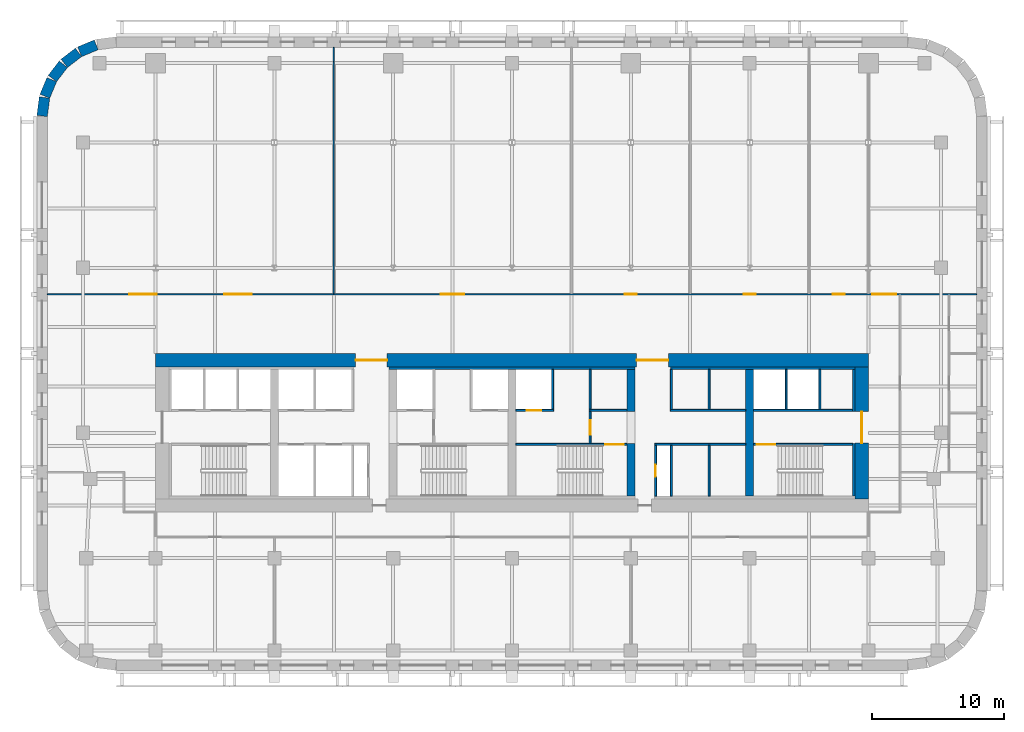
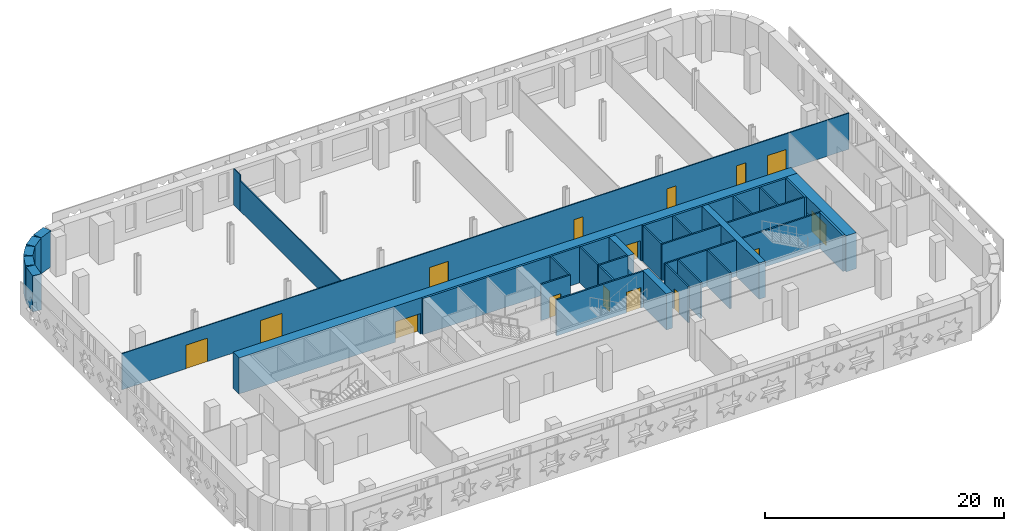
# One storey, part 5 of 10: 34 walls, 15 doors, 15 openings.
"""IFC4 building model written with IfcOpenShell, lengths in metres."""

from ifc_helpers import new_model, si_unit, direction, frame, frame_2d, origin, place, context, subcontext, project, spatial, rectangle, extrude, material, layer, layer_set, type_object, element, fill, save


model = new_model("IFC4")

# Units and contexts
model_context = context("Model", 3, precision=1e-05, world=origin(), true_north=direction((0.0, 1.0)))
body_context = subcontext(model_context, "Body", "Model", "MODEL_VIEW")
ifc_project = project(units=[si_unit("LENGTHUNIT", "METRE"), si_unit("AREAUNIT", "SQUARE_METRE"), si_unit("VOLUMEUNIT", "CUBIC_METRE"), si_unit("PLANEANGLEUNIT", "RADIAN"), si_unit("MASSUNIT", "GRAM", prefix="KILO")], contexts=[model_context])

# Site, building, storey
site_placement = place(None, origin())
site = spatial("IfcSite", under=ifc_project, at=site_placement, CompositionType="ELEMENT")
building_placement = place(site_placement, origin())
building = spatial("IfcBuilding", under=site, at=building_placement, Name="Zellij Exchange Tower", CompositionType="ELEMENT")
storey_placement = place(building_placement, frame((0.0, 0.0, 152.5)))
storey = spatial("IfcBuildingStorey", under=building, at=storey_placement, Name="L34", CompositionType="ELEMENT", Elevation=152.5)

# Walls
ifc_material_1 = material(Name="Concrete C70/85", Category="concrete")
ifc_layer_1 = layer(ifc_material_1, 0.60009765625)
ifc_layer_set_1 = layer_set([ifc_layer_1], Name="Concrete C70/85")
wall_type_1 = type_object("IfcWallType", Name="CORE-CW 600 C70/85", PredefinedType="SHEAR", material=ifc_layer_set_1)
wall_1_placement = place(storey_placement, frame((9.0, -12.800048828125, 0.0), z_axis=(0.0, 0.0, 1.0), x_axis=(0.0, 1.0, 0.0)))
element("IfcWall", 1, at=wall_1_placement, inside=storey, type_object=wall_type_1, Name="Core cross wall pier x 9 a L34", PredefinedType="SHEAR", context=body_context, shape_type="SweptSolid", body=[
    extrude(rectangle(XDim=4.0, YDim=0.60009765625, at=frame_2d((2.0, 0.0))), origin(), (0.0, 0.0, 1.0), 3.699951171875),
])
wall_2_placement = place(storey_placement, frame((9.0, -6.375, 0.0), z_axis=(0.0, 0.0, 1.0), x_axis=(0.0, 1.0, 0.0)))
element("IfcWall", 2, at=wall_2_placement, inside=storey, type_object=wall_type_1, Name="Core cross wall pier x 9 b L34", PredefinedType="SHEAR", context=body_context, shape_type="SweptSolid", body=[
    extrude(rectangle(XDim=3.175048828125, YDim=0.60009765625, at=frame_2d((1.58740234375, 0.0))), origin(), (0.0, 0.0, 1.0), 3.699951171875),
])
wall_3_placement = place(storey_placement, frame((18.0, -12.800048828125, 0.0), z_axis=(0.0, 0.0, 1.0), x_axis=(0.0, 1.0, 0.0)))
element("IfcWall", 3, at=wall_3_placement, inside=storey, type_object=wall_type_1, Name="Core cross wall x 18 L34", PredefinedType="SHEAR", context=body_context, shape_type="SweptSolid", body=[
    extrude(rectangle(XDim=9.60009765625, YDim=0.60009765625, at=frame_2d((4.800048828125, 0.0))), origin(), (0.0, 0.0, 1.0), 3.699951171875),
])
ifc_material_2 = material(Name="Concrete C30/37", Category="concrete")
ifc_layer_2 = layer(ifc_material_2, 0.199951171875)
ifc_layer_set_2 = layer_set([ifc_layer_2], Name="Concrete C30/37")
wall_type_2 = type_object("IfcWallType", Name="CORE-LW 200 C30/37", PredefinedType="SHEAR", material=ifc_layer_set_2)
wall_4_placement = place(storey_placement, frame((-9.300048828125, -3.10009765625, 0.0), z_axis=(0.0, 0.0, 1.0), x_axis=(1.0, 0.0, 0.0)))
element("IfcWall", 4, at=wall_4_placement, inside=storey, type_object=wall_type_2, Name="Core wall lining front.1 L34", PredefinedType="SHEAR", context=body_context, shape_type="SweptSolid", body=[
    extrude(rectangle(XDim=18.60009765625, YDim=0.199951171875, at=frame_2d((9.300048828125, 0.0))), origin(), (0.0, 0.0, 1.0), 3.699951171875),
])
wall_5_placement = place(storey_placement, frame((12.0, -3.10009765625, 0.0), z_axis=(0.0, 0.0, 1.0), x_axis=(1.0, 0.0, 0.0)))
element("IfcWall", 5, at=wall_5_placement, inside=storey, type_object=wall_type_2, Name="Core wall lining front.2 L34", PredefinedType="SHEAR", context=body_context, shape_type="SweptSolid", body=[
    extrude(rectangle(XDim=14.0, YDim=0.199951171875, at=frame_2d((7.0, 0.0))), origin(), (0.0, 0.0, 1.0), 3.699951171875),
])
wall_6_placement = place(storey_placement, frame((25.89990234375, -12.800048828125, 0.0), z_axis=(0.0, 0.0, 1.0), x_axis=(0.0, 1.0, 0.0)))
element("IfcWall", 6, at=wall_6_placement, inside=storey, type_object=wall_type_2, Name="Core wall lining end e.0 L34", PredefinedType="SHEAR", context=body_context, shape_type="SweptSolid", body=[
    extrude(rectangle(XDim=4.0, YDim=0.199951171875, at=frame_2d((2.0, 0.0))), origin(), (0.0, 0.0, 1.0), 3.699951171875),
])
wall_7_placement = place(storey_placement, frame((25.89990234375, -6.375, 0.0), z_axis=(0.0, 0.0, 1.0), x_axis=(0.0, 1.0, 0.0)))
element("IfcWall", 7, at=wall_7_placement, inside=storey, type_object=wall_type_2, Name="Core wall lining end e.1 L34", PredefinedType="SHEAR", context=body_context, shape_type="SweptSolid", body=[
    extrude(rectangle(XDim=3.175048828125, YDim=0.199951171875, at=frame_2d((1.58740234375, 0.0))), origin(), (0.0, 0.0, 1.0), 3.699951171875),
])

# Wall, opening, door
ifc_material_3 = material(Name="Gypsum shaft wall system")
ifc_layer_3 = layer(ifc_material_3, 0.14990234375)
ifc_layer_set_3 = layer_set([ifc_layer_3], Name="Gypsum shaft wall system")
wall_type_3 = type_object("IfcWallType", Name="CORE-PW 150 Firefighting lobby wall", PredefinedType="PARTITIONING", material=ifc_layer_set_3)
wall_8_placement = place(storey_placement, frame((5.925048828125, -8.800048828125, 0.0), z_axis=(0.0, 0.0, 1.0), x_axis=(0.0, 1.0, 0.0)))
wall_8 = element("IfcWall", 8, at=wall_8_placement, inside=storey, type_object=wall_type_3, Name="Firefighting lobby wall L34", PredefinedType="PARTITIONING", context=body_context, shape_type="SweptSolid", body=[
    extrude(rectangle(XDim=2.425048828125, YDim=0.14990234375, at=frame_2d((1.21240234375, 0.0))), origin(), (0.0, 0.0, 1.0), 3.699951171875),
])
opening_1_placement = place(wall_8_placement, frame((0.662109375, 0.0, 0.0)))
opening_1 = element("IfcOpeningElement", 9, at=opening_1_placement, cuts=wall_8, Name="Opening CA-18.18", PredefinedType="OPENING", context=body_context, shape_type="SweptSolid", body=[
    extrude(rectangle(XDim=1.10009765625, YDim=2.10009765625, at=frame_2d((0.550048828125, 1.050048828125))), frame((0.0, 0.0869140625, 0.0), z_axis=(0.0, -1.0, 0.0), x_axis=(1.0, 0.0, 0.0)), (0.0, 0.0, 1.0), 0.173828125),
])
ifc_material_4 = material(Name="Hollow metal fire door")
door_type_1 = type_object("IfcDoorType", Name="CORE-D F Firefighting lobby door 1100x2100 1 HR", OperationType="NOTDEFINED", PredefinedType="DOOR", material=ifc_material_4)
door_1_placement = place(opening_1_placement, origin())
door_1 = element("IfcDoor", 10, at=door_1_placement, inside=storey, type_object=door_type_1, Name="Firefighting lobby door CA-18.18", OperationType="SINGLE_SWING_RIGHT", OverallHeight=2.10009765625, OverallWidth=1.10009765625, PredefinedType="DOOR", context=body_context, shape_type="SweptSolid", body=[
    extrude(rectangle(XDim=1.10009765625, YDim=2.10009765625, at=frame_2d((0.550048828125, 1.050048828125))), frame((0.0, 0.02490234375, 0.0), z_axis=(0.0, -1.0, 0.0), x_axis=(1.0, 0.0, 0.0)), (0.0, 0.0, 1.0), 0.050048828125),
])
fill(opening_1, door_1)

ifc_material_5 = material(Name="Gypsum board partition")
ifc_layer_4 = layer(ifc_material_5, 0.14990234375)
ifc_layer_set_4 = layer_set([ifc_layer_4], Name="Gypsum board partition")
wall_type_4 = type_object("IfcWallType", Name="CORE-PW 150 Lift lobby wall", PredefinedType="PARTITIONING", material=ifc_layer_set_4)
wall_9_placement = place(storey_placement, frame((10.875, -12.800048828125, 0.0), z_axis=(0.0, 0.0, 1.0), x_axis=(0.0, 1.0, 0.0)))
wall_9 = element("IfcWall", 11, at=wall_9_placement, inside=storey, type_object=wall_type_4, Name="Lift lobby wall L34", PredefinedType="PARTITIONING", context=body_context, shape_type="SweptSolid", body=[
    extrude(rectangle(XDim=3.85009765625, YDim=0.14990234375, at=frame_2d((1.925048828125, 0.0))), origin(), (0.0, 0.0, 1.0), 3.699951171875),
])
opening_2_placement = place(wall_9_placement, frame((1.47509765625, 0.0, 0.0)))
opening_2 = element("IfcOpeningElement", 12, at=opening_2_placement, cuts=wall_9, Name="Opening CA-18.22", PredefinedType="OPENING", context=body_context, shape_type="SweptSolid", body=[
    extrude(rectangle(XDim=0.89990234375, YDim=2.10009765625, at=frame_2d((0.449951171875, 1.050048828125))), frame((0.0, 0.0869140625, 0.0), z_axis=(0.0, -1.0, 0.0), x_axis=(1.0, 0.0, 0.0)), (0.0, 0.0, 1.0), 0.173828125),
])
door_type_2 = type_object("IfcDoorType", Name="CORE-D RD Riser door 900x2100 1.5 HR", OperationType="NOTDEFINED", PredefinedType="DOOR", material=ifc_material_4)
door_2_placement = place(opening_2_placement, origin())
door_2 = element("IfcDoor", 13, at=door_2_placement, inside=storey, type_object=door_type_2, Name="Riser door CA-18.22", OperationType="SINGLE_SWING_LEFT", OverallHeight=2.10009765625, OverallWidth=0.89990234375, PredefinedType="DOOR", context=body_context, shape_type="SweptSolid", body=[
    extrude(rectangle(XDim=0.89990234375, YDim=2.10009765625, at=frame_2d((0.449951171875, 1.050048828125))), frame((0.0, 0.02490234375, 0.0), z_axis=(0.0, -1.0, 0.0), x_axis=(1.0, 0.0, 0.0)), (0.0, 0.0, 1.0), 0.050048828125),
])
fill(opening_2, door_2)

# Walls
ifc_layer_5 = layer(ifc_material_3, 0.14990234375)
ifc_layer_set_5 = layer_set([ifc_layer_5], Name="Gypsum shaft wall system")
wall_type_5 = type_object("IfcWallType", Name="CORE-PW 150 Lift shaft wall", PredefinedType="PARTITIONING", material=ifc_layer_set_5)
for number, where, z_axis, x_axis, name in (
    (14, (3.074951171875, -6.22509765625, 0.0), (0.0, 0.0, 1.0), (0.0, 1.0, 0.0), "Lift shaft wall L34"),
    (15, (5.925048828125, -6.22509765625, 0.0), (0.0, 0.0, 1.0), (0.0, 1.0, 0.0), "Lift shaft wall L34"),
    (16, (12.074951171875, -6.22509765625, 0.0), (0.0, 0.0, 1.0), (0.0, 1.0, 0.0), "Lift shaft wall L34"),
    (17, (14.925048828125, -6.22509765625, 0.0), (0.0, 0.0, 1.0), (0.0, 1.0, 0.0), "Lift shaft wall L34"),
    (18, (20.77490234375, -6.22509765625, 0.0), (0.0, 0.0, 1.0), (0.0, 1.0, 0.0), "Lift shaft wall L34"),
    (19, (23.324951171875, -6.22509765625, 0.0), (0.0, 0.0, 1.0), (0.0, 1.0, 0.0), "Lift shaft wall L34"),
):
    element("IfcWall", number, at=place(storey_placement, frame(where, z_axis=z_axis, x_axis=x_axis)), inside=storey, type_object=wall_type_5, Name=name, PredefinedType="PARTITIONING", context=body_context, shape_type="SweptSolid", body=[
        extrude(rectangle(XDim=3.025146484375, YDim=0.14990234375, at=frame_2d((1.5126953125, 0.0))), origin(), (0.0, 0.0, 1.0), 3.699951171875),
    ])
for number, where, z_axis, x_axis, name in (
    (20, (12.074951171875, -12.800048828125, 0.0), (0.0, 0.0, 1.0), (0.0, 1.0, 0.0), "Lift shaft wall L34"),
    (21, (14.925048828125, -12.800048828125, 0.0), (0.0, 0.0, 1.0), (0.0, 1.0, 0.0), "Lift shaft wall L34"),
):
    element("IfcWall", number, at=place(storey_placement, frame(where, z_axis=z_axis, x_axis=x_axis)), inside=storey, type_object=wall_type_5, Name=name, PredefinedType="PARTITIONING", context=body_context, shape_type="SweptSolid", body=[
        extrude(rectangle(XDim=3.85009765625, YDim=0.14990234375, at=frame_2d((1.925048828125, 0.0))), origin(), (0.0, 0.0, 1.0), 3.699951171875),
    ])

# Wall, opening, door
wall_10_placement = place(storey_placement, frame((0.300048828125, -6.300048828125, 0.0), z_axis=(0.0, 0.0, 1.0), x_axis=(1.0, 0.0, 0.0)))
wall_10 = element("IfcWall", 22, at=wall_10_placement, inside=storey, type_object=wall_type_5, Name="Lift shaft wall L34", PredefinedType="PARTITIONING", context=body_context, shape_type="SweptSolid", body=[
    extrude(rectangle(XDim=2.849853515625, YDim=0.14990234375, at=frame_2d((1.4248046875, 0.0))), origin(), (0.0, 0.0, 1.0), 3.699951171875),
])
opening_3_placement = place(wall_10_placement, frame((0.800048828125, 0.0, 0.0)))
opening_3 = element("IfcOpeningElement", 23, at=opening_3_placement, cuts=wall_10, Name="Opening CA-18.17", PredefinedType="OPENING", context=body_context, shape_type="SweptSolid", body=[
    extrude(rectangle(XDim=1.10009765625, YDim=2.10009765625, at=frame_2d((0.550048828125, 1.050048828125))), frame((0.0, 0.0869140625, 0.0), z_axis=(0.0, -1.0, 0.0), x_axis=(1.0, 0.0, 0.0)), (0.0, 0.0, 1.0), 0.173828125),
])
door_type_3 = type_object("IfcDoorType", Name="CORE-D LD Lift landing door 1100x2100 1.5 HR", OperationType="NOTDEFINED", PredefinedType="DOOR", material=ifc_material_4)
door_3_placement = place(opening_3_placement, origin())
door_3 = element("IfcDoor", 24, at=door_3_placement, inside=storey, type_object=door_type_3, Name="Lift landing door CA-18.17", OperationType="SLIDING_TO_LEFT", OverallHeight=2.10009765625, OverallWidth=1.10009765625, PredefinedType="DOOR", context=body_context, shape_type="SweptSolid", body=[
    extrude(rectangle(XDim=1.10009765625, YDim=2.10009765625, at=frame_2d((0.550048828125, 1.050048828125))), frame((0.0, 0.02490234375, 0.0), z_axis=(0.0, -1.0, 0.0), x_axis=(1.0, 0.0, 0.0)), (0.0, 0.0, 1.0), 0.050048828125),
])
fill(opening_3, door_3)

# Walls
wall_11_placement = place(storey_placement, frame((5.85009765625, -6.300048828125, 0.0), z_axis=(0.0, 0.0, 1.0), x_axis=(1.0, 0.0, 0.0)))
element("IfcWall", 25, at=wall_11_placement, inside=storey, type_object=wall_type_5, Name="Lift shaft wall L34", PredefinedType="PARTITIONING", context=body_context, shape_type="SweptSolid", body=[
    extrude(rectangle(XDim=2.849853515625, YDim=0.14990234375, at=frame_2d((1.4248046875, 0.0))), origin(), (0.0, 0.0, 1.0), 3.699951171875),
])
wall_12_placement = place(storey_placement, frame((12.0, -6.300048828125, 0.0), z_axis=(0.0, 0.0, 1.0), x_axis=(1.0, 0.0, 0.0)))
element("IfcWall", 26, at=wall_12_placement, inside=storey, type_object=wall_type_5, Name="Lift shaft wall L34", PredefinedType="PARTITIONING", context=body_context, shape_type="SweptSolid", body=[
    extrude(rectangle(XDim=5.699951171875, YDim=0.14990234375, at=frame_2d((2.85009765625, 0.0))), origin(), (0.0, 0.0, 1.0), 3.699951171875),
])
wall_13_placement = place(storey_placement, frame((18.300048828125, -6.300048828125, 0.0), z_axis=(0.0, 0.0, 1.0), x_axis=(1.0, 0.0, 0.0)))
element("IfcWall", 27, at=wall_13_placement, inside=storey, type_object=wall_type_5, Name="Lift shaft wall L34", PredefinedType="PARTITIONING", context=body_context, shape_type="SweptSolid", body=[
    extrude(rectangle(XDim=7.5, YDim=0.14990234375, at=frame_2d((3.75, 0.0))), origin(), (0.0, 0.0, 1.0), 3.699951171875),
])
wall_14_placement = place(storey_placement, frame((10.800048828125, -8.875, 0.0), z_axis=(0.0, 0.0, 1.0), x_axis=(1.0, 0.0, 0.0)))
element("IfcWall", 28, at=wall_14_placement, inside=storey, type_object=wall_type_5, Name="Lift shaft wall L34", PredefinedType="PARTITIONING", context=body_context, shape_type="SweptSolid", body=[
    extrude(rectangle(XDim=6.89990234375, YDim=0.14990234375, at=frame_2d((3.449951171875, 0.0))), origin(), (0.0, 0.0, 1.0), 3.699951171875),
])

# Wall, openings, doors
ifc_layer_6 = layer(ifc_material_1, 1.0)
ifc_layer_set_6 = layer_set([ifc_layer_6], Name="Concrete C70/85")
wall_type_6 = type_object("IfcWallType", Name="CORE-SW 1000 C70/85", PredefinedType="SHEAR", material=ifc_layer_set_6)
wall_15_placement = place(storey_placement, frame((-27.0, -2.5, 0.0), z_axis=(0.0, 0.0, 1.0), x_axis=(1.0, 0.0, 0.0)))
wall_15 = element("IfcWall", 29, at=wall_15_placement, inside=storey, type_object=wall_type_6, Name="Core shear wall front L34", PredefinedType="SHEAR", context=body_context, shape_type="SweptSolid", body=[
    extrude(rectangle(XDim=54.0, YDim=1.0, at=frame_2d((27.0, 0.0))), origin(), (0.0, 0.0, 1.0), 3.699951171875),
])
opening_4_placement = place(wall_15_placement, frame((15.14990234375, 0.0, 0.0)))
opening_4 = element("IfcOpeningElement", 30, at=opening_4_placement, cuts=wall_15, Name="Opening CA-18.11", PredefinedType="OPENING", context=body_context, shape_type="SweptSolid", body=[
    extrude(rectangle(XDim=2.39990234375, YDim=2.10009765625, at=frame_2d((1.199951171875, 1.050048828125))), frame((0.0, 0.511962890625, 0.0), z_axis=(0.0, -1.0, 0.0), x_axis=(1.0, 0.0, 0.0)), (0.0, 0.0, 1.0), 1.02392578125),
])
opening_5_placement = place(wall_15_placement, frame((36.449951171875, 0.0, 0.0)))
opening_5 = element("IfcOpeningElement", 31, at=opening_5_placement, cuts=wall_15, Name="Opening CA-18.21", PredefinedType="OPENING", context=body_context, shape_type="SweptSolid", body=[
    extrude(rectangle(XDim=2.39990234375, YDim=2.10009765625, at=frame_2d((1.199951171875, 1.050048828125))), frame((0.0, 0.511962890625, 0.0), z_axis=(0.0, -1.0, 0.0), x_axis=(1.0, 0.0, 0.0)), (0.0, 0.0, 1.0), 1.02392578125),
])
door_type_4 = type_object("IfcDoorType", Name="CORE-D CE Core entrance door 2400x2100 20 MIN", OperationType="NOTDEFINED", PredefinedType="DOOR", material=ifc_material_4)
door_4_placement = place(opening_4_placement, origin())
door_4 = element("IfcDoor", 32, at=door_4_placement, inside=storey, type_object=door_type_4, Name="Core entrance door CA-18.11", OperationType="DOUBLE_DOOR_SINGLE_SWING", OverallHeight=2.10009765625, OverallWidth=2.39990234375, PredefinedType="DOOR", context=body_context, shape_type="SweptSolid", body=[
    extrude(rectangle(XDim=2.39990234375, YDim=2.10009765625, at=frame_2d((1.199951171875, 1.050048828125))), frame((0.0, 0.02490234375, 0.0), z_axis=(0.0, -1.0, 0.0), x_axis=(1.0, 0.0, 0.0)), (0.0, 0.0, 1.0), 0.050048828125),
])
fill(opening_4, door_4)
door_5_placement = place(opening_5_placement, origin())
door_5 = element("IfcDoor", 33, at=door_5_placement, inside=storey, type_object=door_type_4, Name="Core entrance door CA-18.21", OperationType="DOUBLE_DOOR_SINGLE_SWING", OverallHeight=2.10009765625, OverallWidth=2.39990234375, PredefinedType="DOOR", context=body_context, shape_type="SweptSolid", body=[
    extrude(rectangle(XDim=2.39990234375, YDim=2.10009765625, at=frame_2d((1.199951171875, 1.050048828125))), frame((0.0, 0.02490234375, 0.0), z_axis=(0.0, -1.0, 0.0), x_axis=(1.0, 0.0, 0.0)), (0.0, 0.0, 1.0), 0.050048828125),
])
fill(opening_5, door_5)

# Wall, opening, door
wall_16_placement = place(storey_placement, frame((26.5, -13.0, 0.0), z_axis=(0.0, 0.0, 1.0), x_axis=(0.0, 1.0, 0.0)))
wall_16 = element("IfcWall", 34, at=wall_16_placement, inside=storey, type_object=wall_type_6, Name="Core shear wall end e L34", PredefinedType="SHEAR", context=body_context, shape_type="SweptSolid", body=[
    extrude(rectangle(XDim=10.0, YDim=1.0, at=frame_2d((5.0, 0.0))), origin(), (0.0, 0.0, 1.0), 3.699951171875),
])
opening_6_placement = place(wall_16_placement, frame((4.2119140625, 0.0, 0.0)))
opening_6 = element("IfcOpeningElement", 35, at=opening_6_placement, cuts=wall_16, Name="Opening CA-18.24", PredefinedType="OPENING", context=body_context, shape_type="SweptSolid", body=[
    extrude(rectangle(XDim=2.39990234375, YDim=2.10009765625, at=frame_2d((1.199951171875, 1.050048828125))), frame((0.0, 0.511962890625, 0.0), z_axis=(0.0, -1.0, 0.0), x_axis=(1.0, 0.0, 0.0)), (0.0, 0.0, 1.0), 1.02392578125),
])
door_6_placement = place(opening_6_placement, origin())
door_6 = element("IfcDoor", 36, at=door_6_placement, inside=storey, type_object=door_type_4, Name="Core entrance door CA-18.24", OperationType="DOUBLE_DOOR_SINGLE_SWING", OverallHeight=2.10009765625, OverallWidth=2.39990234375, PredefinedType="DOOR", context=body_context, shape_type="SweptSolid", body=[
    extrude(rectangle(XDim=2.39990234375, YDim=2.10009765625, at=frame_2d((1.199951171875, 1.050048828125))), frame((0.0, 0.02490234375, 0.0), z_axis=(0.0, -1.0, 0.0), x_axis=(1.0, 0.0, 0.0)), (0.0, 0.0, 1.0), 0.050048828125),
])
fill(opening_6, door_6)

ifc_layer_7 = layer(ifc_material_1, 0.14990234375)
ifc_layer_set_7 = layer_set([ifc_layer_7], Name="Concrete C70/85")
wall_type_7 = type_object("IfcWallType", Name="CORE-SWS 150 C70/85", PredefinedType="SHEAR", material=ifc_layer_set_7)
wall_17_placement = place(storey_placement, frame((0.300048828125, -8.875, 0.0), z_axis=(0.0, 0.0, 1.0), x_axis=(1.0, 0.0, 0.0)))
wall_17 = element("IfcWall", 37, at=wall_17_placement, inside=storey, type_object=wall_type_7, Name="Stair enclosure wall L34", PredefinedType="SHEAR", context=body_context, shape_type="SweptSolid", body=[
    extrude(rectangle(XDim=8.39990234375, YDim=0.14990234375, at=frame_2d((4.199951171875, 0.0))), origin(), (0.0, 0.0, 1.0), 3.699951171875),
])
opening_7_placement = place(wall_17_placement, frame((6.77490234375, 0.0, 0.0)))
opening_7 = element("IfcOpeningElement", 38, at=opening_7_placement, cuts=wall_17, Name="Opening CA-18.19", PredefinedType="OPENING", context=body_context, shape_type="SweptSolid", body=[
    extrude(rectangle(XDim=1.39990234375, YDim=2.10009765625, at=frame_2d((0.699951171875, 1.050048828125))), frame((0.0, 0.0869140625, 0.0), z_axis=(0.0, -1.0, 0.0), x_axis=(1.0, 0.0, 0.0)), (0.0, 0.0, 1.0), 0.173828125),
])
door_type_5 = type_object("IfcDoorType", Name="CORE-D SD Stair door 1400x2100 1.5 HR", OperationType="NOTDEFINED", PredefinedType="DOOR", material=ifc_material_4)
door_7_placement = place(opening_7_placement, origin())
door_7 = element("IfcDoor", 39, at=door_7_placement, inside=storey, type_object=door_type_5, Name="Stair door CA-18.19", OperationType="DOUBLE_DOOR_SINGLE_SWING", OverallHeight=2.10009765625, OverallWidth=1.39990234375, PredefinedType="DOOR", context=body_context, shape_type="SweptSolid", body=[
    extrude(rectangle(XDim=1.39990234375, YDim=2.10009765625, at=frame_2d((0.699951171875, 1.050048828125))), frame((0.0, 0.02490234375, 0.0), z_axis=(0.0, -1.0, 0.0), x_axis=(1.0, 0.0, 0.0)), (0.0, 0.0, 1.0), 0.050048828125),
])
fill(opening_7, door_7)

wall_18_placement = place(storey_placement, frame((18.300048828125, -8.875, 0.0), z_axis=(0.0, 0.0, 1.0), x_axis=(1.0, 0.0, 0.0)))
wall_18 = element("IfcWall", 40, at=wall_18_placement, inside=storey, type_object=wall_type_7, Name="Stair enclosure wall L34", PredefinedType="SHEAR", context=body_context, shape_type="SweptSolid", body=[
    extrude(rectangle(XDim=7.5, YDim=0.14990234375, at=frame_2d((3.75, 0.0))), origin(), (0.0, 0.0, 1.0), 3.699951171875),
])
opening_8_placement = place(wall_18_placement, frame((0.22509765625, 0.0, 0.0)))
opening_8 = element("IfcOpeningElement", 41, at=opening_8_placement, cuts=wall_18, Name="Opening CA-18.23", PredefinedType="OPENING", context=body_context, shape_type="SweptSolid", body=[
    extrude(rectangle(XDim=1.39990234375, YDim=2.10009765625, at=frame_2d((0.699951171875, 1.050048828125))), frame((0.0, 0.0869140625, 0.0), z_axis=(0.0, -1.0, 0.0), x_axis=(1.0, 0.0, 0.0)), (0.0, 0.0, 1.0), 0.173828125),
])
door_8_placement = place(opening_8_placement, origin())
door_8 = element("IfcDoor", 42, at=door_8_placement, inside=storey, type_object=door_type_5, Name="Stair door CA-18.23", OperationType="DOUBLE_DOOR_SINGLE_SWING", OverallHeight=2.10009765625, OverallWidth=1.39990234375, PredefinedType="DOOR", context=body_context, shape_type="SweptSolid", body=[
    extrude(rectangle(XDim=1.39990234375, YDim=2.10009765625, at=frame_2d((0.699951171875, 1.050048828125))), frame((0.0, 0.02490234375, 0.0), z_axis=(0.0, -1.0, 0.0), x_axis=(1.0, 0.0, 0.0)), (0.0, 0.0, 1.0), 0.050048828125),
])
fill(opening_8, door_8)

# Walls
ifc_material_6 = material(Name="Precast concrete C40/50", Category="concrete")
ifc_layer_8 = layer(ifc_material_6, 0.800048828125)
ifc_layer_set_8 = layer_set([ifc_layer_8], Name="Precast concrete C40/50")
wall_type_8 = type_object("IfcWallType", Name="ENV-EW1 Precast stone-piered wall 800", PredefinedType="SOLIDWALL", material=ifc_layer_set_8)
wall_19_placement = place(storey_placement, frame((-31.497314453125, 21.3857421875, 0.0), z_axis=(0.0, 0.0, 1.0), x_axis=(-0.923847774587, -0.38276009378, 0.0)))
element("IfcWall", 43, at=wall_19_placement, inside=storey, type_object=wall_type_8, Name="fac.L34.16", PredefinedType="SOLIDWALL", context=body_context, shape_type="SweptSolid", body=[
    extrude(rectangle(XDim=1.35546875, YDim=0.800048828125, at=frame_2d((0.677734375, 0.0))), origin(), (0.0, 0.0, 1.0), 3.699951171875),
])
for number, where, z_axis, x_axis, name in (
    (44, (-32.840087890625, 20.814697265625, 0.0), (0.0, 0.0, 1.0), (-0.793272915452, -0.608866226366, 0.0), "fac.L34.17"),
    (45, (-33.9892578125, 19.91552734375, 0.0), (0.0, 0.0, 1.0), (-0.608866226366, -0.793272915452, 0.0), "fac.L34.18"),
):
    element("IfcWall", number, at=place(storey_placement, frame(where, z_axis=z_axis, x_axis=x_axis)), inside=storey, type_object=wall_type_8, Name=name, PredefinedType="SOLIDWALL", context=body_context, shape_type="SweptSolid", body=[
        extrude(rectangle(XDim=1.355712890625, YDim=0.800048828125, at=frame_2d((0.677734375, 0.0))), origin(), (0.0, 0.0, 1.0), 3.699951171875),
    ])
wall_20_placement = place(storey_placement, frame((-34.866943359375, 18.74951171875, 0.0), z_axis=(0.0, 0.0, 1.0), x_axis=(-0.38276009378, -0.923847774587, 0.0)))
element("IfcWall", 46, at=wall_20_placement, inside=storey, type_object=wall_type_8, Name="fac.L34.19", PredefinedType="SOLIDWALL", context=body_context, shape_type="SweptSolid", body=[
    extrude(rectangle(XDim=1.35546875, YDim=0.800048828125, at=frame_2d((0.677734375, 0.0))), origin(), (0.0, 0.0, 1.0), 3.699951171875),
])
wall_21_placement = place(storey_placement, frame((-35.412841796875, 17.396240234375, 0.0), z_axis=(0.0, 0.0, 1.0), x_axis=(-0.130517283865, -0.99144603414, 0.0)))
element("IfcWall", 47, at=wall_21_placement, inside=storey, type_object=wall_type_8, Name="fac.L34.20", PredefinedType="SOLIDWALL", context=body_context, shape_type="SweptSolid", body=[
    extrude(rectangle(XDim=1.408447265625, YDim=0.800048828125, at=frame_2d((0.7041015625, 0.0))), origin(), (0.0, 0.0, 1.0), 3.699951171875),
])

# Wall, openings, doors
ifc_material_7 = material(Name="Gypsum board partition on steel studs", Category="steel")
ifc_layer_9 = layer(ifc_material_7, 0.10009765625)
ifc_layer_set_9 = layer_set([ifc_layer_9], Name="Gypsum board partition on steel studs")
wall_type_9 = type_object("IfcWallType", Name="FIT-PARTITION-100", PredefinedType="PARTITIONING", material=ifc_layer_set_9)
wall_22_placement = place(storey_placement, frame((-35.199951171875, 2.489990234375, 0.0), z_axis=(0.0, 0.0, 1.0), x_axis=(1.0, 0.0, 0.0)))
wall_22 = element("IfcWall", 48, at=wall_22_placement, inside=storey, type_object=wall_type_9, Name="FIT-PARTITION-100 019", PredefinedType="PARTITIONING", context=body_context, shape_type="SweptSolid", body=[
    extrude(rectangle(XDim=70.39990234375, YDim=0.10009765625, at=frame_2d((35.199951171875, 0.0))), origin(), (0.0, 0.0, 1.0), 3.699951171875),
])
opening_9_placement = place(wall_22_placement, frame((6.199951171875, 0.0, 0.0)))
opening_9 = element("IfcOpeningElement", 49, at=opening_9_placement, cuts=wall_22, Name="Opening TH.08", PredefinedType="OPENING", context=body_context, shape_type="SweptSolid", body=[
    extrude(rectangle(XDim=2.10009765625, YDim=2.39990234375, at=frame_2d((1.050048828125, 1.199951171875))), frame((0.0, 0.06201171875, 0.0), z_axis=(0.0, -1.0, 0.0), x_axis=(1.0, 0.0, 0.0)), (0.0, 0.0, 1.0), 0.1240234375),
])
opening_10_placement = place(wall_22_placement, frame((13.39990234375, 0.0, 0.0)))
opening_10 = element("IfcOpeningElement", 50, at=opening_10_placement, cuts=wall_22, Name="Opening TH.09", PredefinedType="OPENING", context=body_context, shape_type="SweptSolid", body=[
    extrude(rectangle(XDim=2.10009765625, YDim=2.39990234375, at=frame_2d((1.050048828125, 1.199951171875))), frame((0.0, 0.06201171875, 0.0), z_axis=(0.0, -1.0, 0.0), x_axis=(1.0, 0.0, 0.0)), (0.0, 0.0, 1.0), 0.1240234375),
])
opening_11_placement = place(wall_22_placement, frame((29.800048828125, 0.0, 0.0)))
opening_11 = element("IfcOpeningElement", 51, at=opening_11_placement, cuts=wall_22, Name="Opening TH.10", PredefinedType="OPENING", context=body_context, shape_type="SweptSolid", body=[
    extrude(rectangle(XDim=1.800048828125, YDim=2.10009765625, at=frame_2d((0.89990234375, 1.050048828125))), frame((0.0, 0.06201171875, 0.0), z_axis=(0.0, -1.0, 0.0), x_axis=(1.0, 0.0, 0.0)), (0.0, 0.0, 1.0), 0.1240234375),
])
opening_12_placement = place(wall_22_placement, frame((43.75, 0.0, 0.0)))
opening_12 = element("IfcOpeningElement", 52, at=opening_12_placement, cuts=wall_22, Name="Opening TH.11", PredefinedType="OPENING", context=body_context, shape_type="SweptSolid", body=[
    extrude(rectangle(XDim=0.89990234375, YDim=2.10009765625, at=frame_2d((0.449951171875, 1.050048828125))), frame((0.0, 0.06201171875, 0.0), z_axis=(0.0, -1.0, 0.0), x_axis=(1.0, 0.0, 0.0)), (0.0, 0.0, 1.0), 0.1240234375),
])
opening_13_placement = place(wall_22_placement, frame((52.75, 0.0, 0.0)))
opening_13 = element("IfcOpeningElement", 53, at=opening_13_placement, cuts=wall_22, Name="Opening TH.12", PredefinedType="OPENING", context=body_context, shape_type="SweptSolid", body=[
    extrude(rectangle(XDim=0.89990234375, YDim=2.10009765625, at=frame_2d((0.449951171875, 1.050048828125))), frame((0.0, 0.06201171875, 0.0), z_axis=(0.0, -1.0, 0.0), x_axis=(1.0, 0.0, 0.0)), (0.0, 0.0, 1.0), 0.1240234375),
])
opening_14_placement = place(wall_22_placement, frame((59.5, 0.0, 0.0)))
opening_14 = element("IfcOpeningElement", 54, at=opening_14_placement, cuts=wall_22, Name="Opening TH.13", PredefinedType="OPENING", context=body_context, shape_type="SweptSolid", body=[
    extrude(rectangle(XDim=0.89990234375, YDim=2.10009765625, at=frame_2d((0.449951171875, 1.050048828125))), frame((0.0, 0.06201171875, 0.0), z_axis=(0.0, -1.0, 0.0), x_axis=(1.0, 0.0, 0.0)), (0.0, 0.0, 1.0), 0.1240234375),
])
opening_15_placement = place(wall_22_placement, frame((62.5, 0.0, 0.0)))
opening_15 = element("IfcOpeningElement", 55, at=opening_15_placement, cuts=wall_22, Name="Opening TH.14", PredefinedType="OPENING", context=body_context, shape_type="SweptSolid", body=[
    extrude(rectangle(XDim=1.800048828125, YDim=2.10009765625, at=frame_2d((0.89990234375, 1.050048828125))), frame((0.0, 0.06201171875, 0.0), z_axis=(0.0, -1.0, 0.0), x_axis=(1.0, 0.0, 0.0)), (0.0, 0.0, 1.0), 0.1240234375),
])
ifc_material_8 = material(Name="Timber door set", Category="wood")
door_type_6 = type_object("IfcDoorType", Name="FIT-D1-ROOM-900X2100", OperationType="SINGLE_SWING_LEFT", PredefinedType="DOOR", material=ifc_material_8)
door_9_placement = place(opening_12_placement, origin())
door_9 = element("IfcDoor", 56, at=door_9_placement, inside=storey, type_object=door_type_6, Name="Door TH.11", OperationType="SINGLE_SWING_RIGHT", OverallHeight=2.10009765625, OverallWidth=0.89990234375, PredefinedType="DOOR", context=body_context, shape_type="SweptSolid", body=[
    extrude(rectangle(XDim=0.89990234375, YDim=2.10009765625, at=frame_2d((0.449951171875, 1.050048828125))), frame((0.0, 0.02490234375, 0.0), z_axis=(0.0, -1.0, 0.0), x_axis=(1.0, 0.0, 0.0)), (0.0, 0.0, 1.0), 0.050048828125),
])
fill(opening_12, door_9)
door_10_placement = place(opening_13_placement, origin())
door_10 = element("IfcDoor", 57, at=door_10_placement, inside=storey, type_object=door_type_6, Name="Door TH.12", OperationType="SINGLE_SWING_RIGHT", OverallHeight=2.10009765625, OverallWidth=0.89990234375, PredefinedType="DOOR", context=body_context, shape_type="SweptSolid", body=[
    extrude(rectangle(XDim=0.89990234375, YDim=2.10009765625, at=frame_2d((0.449951171875, 1.050048828125))), frame((0.0, 0.02490234375, 0.0), z_axis=(0.0, -1.0, 0.0), x_axis=(1.0, 0.0, 0.0)), (0.0, 0.0, 1.0), 0.050048828125),
])
fill(opening_13, door_10)
door_11_placement = place(opening_14_placement, origin())
door_11 = element("IfcDoor", 58, at=door_11_placement, inside=storey, type_object=door_type_6, Name="Door TH.13", OperationType="SINGLE_SWING_RIGHT", OverallHeight=2.10009765625, OverallWidth=0.89990234375, PredefinedType="DOOR", context=body_context, shape_type="SweptSolid", body=[
    extrude(rectangle(XDim=0.89990234375, YDim=2.10009765625, at=frame_2d((0.449951171875, 1.050048828125))), frame((0.0, 0.02490234375, 0.0), z_axis=(0.0, -1.0, 0.0), x_axis=(1.0, 0.0, 0.0)), (0.0, 0.0, 1.0), 0.050048828125),
])
fill(opening_14, door_11)
door_type_7 = type_object("IfcDoorType", Name="FIT-D3-DOUBLE-1800X2100", OperationType="DOUBLE_DOOR_SINGLE_SWING", PredefinedType="DOOR", material=ifc_material_8)
door_12_placement = place(opening_11_placement, origin())
door_12 = element("IfcDoor", 59, at=door_12_placement, inside=storey, type_object=door_type_7, Name="Door TH.10", OperationType="DOUBLE_DOOR_SINGLE_SWING", OverallHeight=2.10009765625, OverallWidth=1.800048828125, PredefinedType="DOOR", context=body_context, shape_type="SweptSolid", body=[
    extrude(rectangle(XDim=1.800048828125, YDim=2.10009765625, at=frame_2d((0.89990234375, 1.050048828125))), frame((0.0, 0.02490234375, 0.0), z_axis=(0.0, -1.0, 0.0), x_axis=(1.0, 0.0, 0.0)), (0.0, 0.0, 1.0), 0.050048828125),
])
fill(opening_11, door_12)
door_13_placement = place(opening_15_placement, origin())
door_13 = element("IfcDoor", 60, at=door_13_placement, inside=storey, type_object=door_type_7, Name="Door TH.14", OperationType="DOUBLE_DOOR_SINGLE_SWING", OverallHeight=2.10009765625, OverallWidth=1.800048828125, PredefinedType="DOOR", context=body_context, shape_type="SweptSolid", body=[
    extrude(rectangle(XDim=1.800048828125, YDim=2.10009765625, at=frame_2d((0.89990234375, 1.050048828125))), frame((0.0, 0.02490234375, 0.0), z_axis=(0.0, -1.0, 0.0), x_axis=(1.0, 0.0, 0.0)), (0.0, 0.0, 1.0), 0.050048828125),
])
fill(opening_15, door_13)
door_type_8 = type_object("IfcDoorType", Name="FIT-D7-ASSEMBLY-2100X2400", OperationType="DOUBLE_DOOR_SINGLE_SWING", PredefinedType="DOOR", material=ifc_material_8)
door_14_placement = place(opening_9_placement, origin())
door_14 = element("IfcDoor", 61, at=door_14_placement, inside=storey, type_object=door_type_8, Name="Door TH.08", OperationType="DOUBLE_DOOR_SINGLE_SWING", OverallHeight=2.39990234375, OverallWidth=2.10009765625, PredefinedType="DOOR", context=body_context, shape_type="SweptSolid", body=[
    extrude(rectangle(XDim=2.10009765625, YDim=2.39990234375, at=frame_2d((1.050048828125, 1.199951171875))), frame((0.0, 0.02490234375, 0.0), z_axis=(0.0, -1.0, 0.0), x_axis=(1.0, 0.0, 0.0)), (0.0, 0.0, 1.0), 0.050048828125),
])
fill(opening_9, door_14)
door_15_placement = place(opening_10_placement, origin())
door_15 = element("IfcDoor", 62, at=door_15_placement, inside=storey, type_object=door_type_8, Name="Door TH.09", OperationType="DOUBLE_DOOR_SINGLE_SWING", OverallHeight=2.39990234375, OverallWidth=2.10009765625, PredefinedType="DOOR", context=body_context, shape_type="SweptSolid", body=[
    extrude(rectangle(XDim=2.10009765625, YDim=2.39990234375, at=frame_2d((1.050048828125, 1.199951171875))), frame((0.0, 0.02490234375, 0.0), z_axis=(0.0, -1.0, 0.0), x_axis=(1.0, 0.0, 0.0)), (0.0, 0.0, 1.0), 0.050048828125),
])
fill(opening_10, door_15)

# Walls
wall_23_placement = place(storey_placement, frame((-13.5, 2.5400390625, 0.0), z_axis=(0.0, 0.0, 1.0), x_axis=(0.0, 1.0, 0.0)))
element("IfcWall", 63, at=wall_23_placement, inside=storey, type_object=wall_type_9, Name="FIT-PARTITION-100 020", PredefinedType="PARTITIONING", context=body_context, shape_type="SweptSolid", body=[
    extrude(rectangle(XDim=17.574462890625, YDim=0.10009765625, at=frame_2d((8.787109375, 0.0))), origin(), (0.0, 0.0, 1.0), 3.097900390625),
])
wall_24_placement = place(storey_placement, frame((-13.5, 20.114501953125, 0.0), z_axis=(0.0, 0.0, 1.0), x_axis=(0.0, 1.0, 0.0)))
element("IfcWall", 64, at=wall_24_placement, inside=storey, type_object=wall_type_9, Name="FIT-PARTITION-100 021", PredefinedType="PARTITIONING", context=body_context, shape_type="SweptSolid", body=[
    extrude(rectangle(XDim=1.08544921875, YDim=0.10009765625, at=frame_2d((0.542724609375, 0.0))), origin(), (0.0, 0.0, 1.0), 3.699951171875),
])

save(model, "model.ifc")
